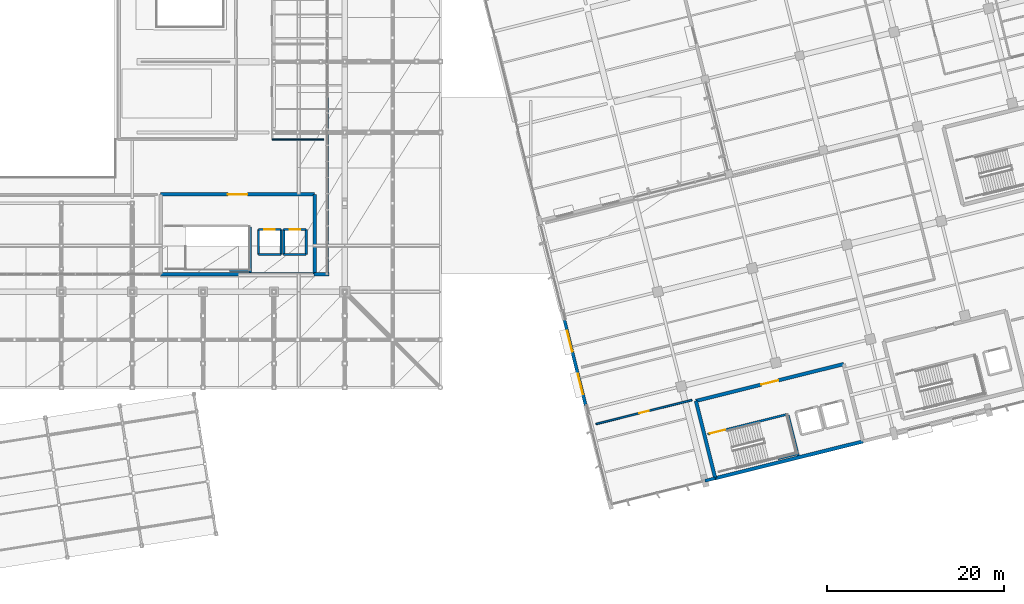
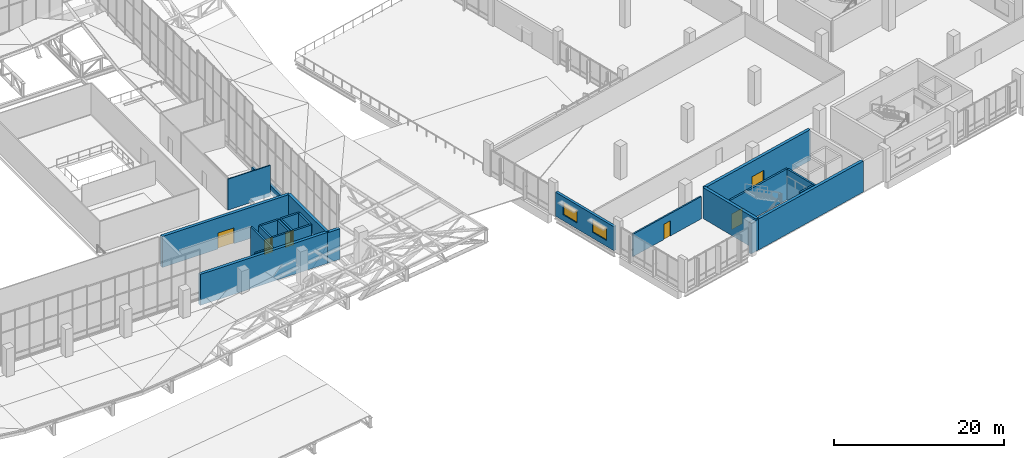
# One storey, part 122 of 137: 25 walls, 6 doors, 2 windows, 8 openings.
"""IFC4 building model written with IfcOpenShell, lengths in metres."""

from ifc_helpers import new_model, si_unit, direction, frame, frame_2d, origin, place, context, subcontext, project, spatial, rectangle, extrude, material, layer, layer_set, type_object, element, fill, save


model = new_model("IFC4")

# Units and contexts
model_context = context("Model", 3, precision=1e-05, world=origin(), true_north=direction((0.0, 1.0)))
body_context = subcontext(model_context, "Body", "Model", "MODEL_VIEW")
ifc_project = project(units=[si_unit("LENGTHUNIT", "METRE"), si_unit("AREAUNIT", "SQUARE_METRE"), si_unit("VOLUMEUNIT", "CUBIC_METRE"), si_unit("PLANEANGLEUNIT", "RADIAN"), si_unit("MASSUNIT", "GRAM", prefix="KILO")], contexts=[model_context])

# Site, building, storey
site_placement = place(None, origin())
site = spatial("IfcSite", under=ifc_project, at=site_placement, CompositionType="ELEMENT")
building_placement = place(site_placement, origin())
building = spatial("IfcBuilding", under=site, at=building_placement, Name="Khorjan Park Terminus", CompositionType="ELEMENT")
storey_placement = place(building_placement, frame((0.0, 0.0, 11.4)))
storey = spatial("IfcBuildingStorey", under=building, at=storey_placement, Name="L02", CompositionType="ELEMENT", Elevation=11.4)

# Walls
ifc_material_1 = material(Name="Concrete C50/60", Category="concrete")
ifc_layer_1 = layer(ifc_material_1, 0.4)
ifc_layer_set_1 = layer_set([ifc_layer_1], Name="Concrete C50/60")
wall_type_1 = type_object("IfcWallType", Name="CW-40", PredefinedType="SHEAR", material=ifc_layer_set_1)
wall_1_placement = place(storey_placement, frame((115.2, 28.0, 0.0), z_axis=(0.0, 0.0, 1.0), x_axis=(1.0, 0.0, 0.0)))
element("IfcWall", 1, at=wall_1_placement, inside=storey, type_object=wall_type_1, Name="East Concourse Core concrete shear wall CW-40 (L02-E1)", PredefinedType="SHEAR", context=body_context, shape_type="SweptSolid", body=[
    extrude(rectangle(XDim=17.4, YDim=0.4, at=frame_2d((8.7, 0.0))), origin(), (0.0, 0.0, 1.0), 4.46),
])
wall_2_placement = place(storey_placement, frame((132.6, 28.0, 0.0), z_axis=(0.0, 0.0, 1.0), x_axis=(0.0, 1.0, 0.0)))
element("IfcWall", 2, at=wall_2_placement, inside=storey, type_object=wall_type_1, Name="East Concourse Core concrete shear wall CW-40 (L02-E2)", PredefinedType="SHEAR", context=body_context, shape_type="SweptSolid", body=[
    extrude(rectangle(XDim=9.0, YDim=0.4, at=frame_2d((4.5, 0.0))), origin(), (0.0, 0.0, 1.0), 4.46),
])

# Wall, opening, door
wall_3_placement = place(storey_placement, frame((132.6, 37.0, 0.0), z_axis=(0.0, 0.0, 1.0), x_axis=(-1.0, 0.0, 0.0)))
wall_3 = element("IfcWall", 3, at=wall_3_placement, inside=storey, type_object=wall_type_1, Name="East Concourse Core concrete shear wall CW-40 (L02-E3)", PredefinedType="SHEAR", context=body_context, shape_type="SweptSolid", body=[
    extrude(rectangle(XDim=17.4, YDim=0.4, at=frame_2d((8.7, 0.0))), origin(), (0.0, 0.0, 1.0), 4.46),
])
opening_1_placement = place(wall_3_placement, frame((7.6, 0.0, 0.0)))
opening_1 = element("IfcOpeningElement", 4, at=opening_1_placement, cuts=wall_3, Name="Opening FD-22", PredefinedType="OPENING", context=body_context, shape_type="SweptSolid", body=[
    extrude(rectangle(XDim=2.2, YDim=2.3, at=frame_2d((1.1, 1.15))), frame((0.0, 0.21, 0.0), z_axis=(0.0, -1.0, 0.0), x_axis=(1.0, 0.0, 0.0)), (0.0, 0.0, 1.0), 0.42),
])
ifc_material_2 = material(Name="Fire-Rated Steel Double Door", Category="steel")
door_type_1 = type_object("IfcDoorType", Name="FD-22", OperationType="NOTDEFINED", PredefinedType="DOOR", material=ifc_material_2)
door_1_placement = place(opening_1_placement, origin())
door_1 = element("IfcDoor", 5, at=door_1_placement, inside=storey, type_object=door_type_1, Name="East Concourse Core fire-rated exit door FD-22 (L02)", OperationType="DOUBLE_DOOR_SINGLE_SWING", OverallHeight=2.3, OverallWidth=2.2, PredefinedType="DOOR", context=body_context, shape_type="SweptSolid", body=[
    extrude(rectangle(XDim=2.2, YDim=2.3, at=frame_2d((1.1, 1.15))), frame((0.0, 0.025, 0.0), z_axis=(0.0, -1.0, 0.0), x_axis=(1.0, 0.0, 0.0)), (0.0, 0.0, 1.0), 0.05),
])
fill(opening_1, door_1)

# Wall
wall_4_placement = place(storey_placement, frame((177.8376, 4.9514, 0.0), z_axis=(0.0, 0.0, 1.0), x_axis=(0.970295179998, 0.241924086589, 0.0)))
element("IfcWall", 6, at=wall_4_placement, inside=storey, type_object=wall_type_1, Name="Operations West Firefighting Core concrete shear wall CW-40 (L02-E1)", PredefinedType="SHEAR", context=body_context, shape_type="SweptSolid", body=[
    extrude(rectangle(XDim=17.2, YDim=0.4, at=frame_2d((8.6, 0.0))), origin(), (0.0, 0.0, 1.0), 4.46),
])

# Wall, opening, door
wall_5_placement = place(storey_placement, frame((192.3494, 17.8451, 0.0), z_axis=(0.0, 0.0, 1.0), x_axis=(-0.970296544738, -0.241918612906, 0.0)))
wall_5 = element("IfcWall", 7, at=wall_5_placement, inside=storey, type_object=wall_type_1, Name="Operations West Firefighting Core concrete shear wall CW-40 (L02-E3)", PredefinedType="SHEAR", context=body_context, shape_type="SweptSolid", body=[
    extrude(rectangle(XDim=17.2, YDim=0.4, at=frame_2d((8.6, 0.0))), origin(), (0.0, 0.0, 1.0), 4.46),
])
opening_2_placement = place(wall_5_placement, frame((7.6, 0.0, 0.0)))
opening_2 = element("IfcOpeningElement", 8, at=opening_2_placement, cuts=wall_5, Name="Opening FD-20", PredefinedType="OPENING", context=body_context, shape_type="SweptSolid", body=[
    extrude(rectangle(XDim=2.0, YDim=2.3, at=frame_2d((1.0, 1.15))), frame((0.0, 0.21, 0.0), z_axis=(0.0, -1.0, 0.0), x_axis=(1.0, 0.0, 0.0)), (0.0, 0.0, 1.0), 0.42),
])
door_type_2 = type_object("IfcDoorType", Name="FD-20", OperationType="NOTDEFINED", PredefinedType="DOOR", material=ifc_material_2)
door_2_placement = place(opening_2_placement, origin())
door_2 = element("IfcDoor", 9, at=door_2_placement, inside=storey, type_object=door_type_2, Name="Operations West Firefighting Core fire-rated exit door FD-20 (L02)", OperationType="DOUBLE_DOOR_SINGLE_SWING", OverallHeight=2.3, OverallWidth=2.0, PredefinedType="DOOR", context=body_context, shape_type="SweptSolid", body=[
    extrude(rectangle(XDim=2.0, YDim=2.3, at=frame_2d((1.0, 1.15))), frame((0.0, 0.025, 0.0), z_axis=(0.0, -1.0, 0.0), x_axis=(1.0, 0.0, 0.0)), (0.0, 0.0, 1.0), 0.05),
])
fill(opening_2, door_2)

# Walls
wall_6_placement = place(storey_placement, frame((175.6603, 13.6841, 0.0), z_axis=(0.0, 0.0, 1.0), x_axis=(0.241921199913, -0.97029589973, 0.0)))
element("IfcWall", 10, at=wall_6_placement, inside=storey, type_object=wall_type_1, Name="Operations West Firefighting Core concrete shear wall CW-40 (L02-E4)", PredefinedType="SHEAR", context=body_context, shape_type="SweptSolid", body=[
    extrude(rectangle(XDim=9.0, YDim=0.4, at=frame_2d((4.5, 0.0))), origin(), (0.0, 0.0, 1.0), 4.46),
])
ifc_material_3 = material(Name="Pigmented Precast GRC & Concrete C40/50", Category="concrete")
ifc_layer_2 = layer(ifc_material_3, 0.35)
ifc_layer_set_2 = layer_set([ifc_layer_2], Name="Pigmented Precast GRC & Concrete C40/50")
wall_type_2 = type_object("IfcWallType", Name="EW-35", PredefinedType="STANDARD", material=ifc_layer_set_2)
wall_7_placement = place(storey_placement, frame((134.0, 28.0, 0.0), z_axis=(0.0, 0.0, 1.0), x_axis=(0.0, 1.0, 0.0)))
element("IfcWall", 11, at=wall_7_placement, inside=storey, type_object=wall_type_2, Name="Concourse gallery clerestory sill wall EW-35 (E-1)", PredefinedType="STANDARD", context=body_context, shape_type="SweptSolid", body=[
    extrude(rectangle(XDim=20.0, YDim=0.35, at=frame_2d((10.0, 0.0))), origin(), (0.0, 0.0, 1.0), 1.1621),
])

# Wall, openings, windows
wall_8_placement = place(storey_placement, frame((160.8024, 22.8463, 0.0), z_axis=(0.0, 0.0, 1.0), x_axis=(0.241931398528, -0.970293356881, 0.0)))
wall_8 = element("IfcWall", 12, at=wall_8_placement, inside=storey, type_object=wall_type_2, Name="External pigmented-GRC insulated wall EW-35 (EW-V5-W-L02-B02)", PredefinedType="STANDARD", context=body_context, shape_type="SweptSolid", body=[
    extrude(rectangle(XDim=9.9698, YDim=0.35, at=frame_2d((4.9849, 0.0))), origin(), (0.0, 0.0, 1.0), 3.455),
])
opening_3_placement = place(wall_8_placement, frame((1.2924, 0.0, 0.85)))
opening_3 = element("IfcOpeningElement", 13, at=opening_3_placement, cuts=wall_8, Name="Opening WN-24", PredefinedType="OPENING", context=body_context, shape_type="SweptSolid", body=[
    extrude(rectangle(XDim=2.4, YDim=1.8, at=frame_2d((1.2, 0.9))), frame((0.0, 0.185, 0.0), z_axis=(0.0, -1.0, 0.0), x_axis=(1.0, 0.0, 0.0)), (0.0, 0.0, 1.0), 0.37),
])
opening_4_placement = place(wall_8_placement, frame((6.2773, 0.0, 0.85)))
opening_4 = element("IfcOpeningElement", 14, at=opening_4_placement, cuts=wall_8, Name="Opening WN-24", PredefinedType="OPENING", context=body_context, shape_type="SweptSolid", body=[
    extrude(rectangle(XDim=2.4, YDim=1.8, at=frame_2d((1.2, 0.9))), frame((0.0, 0.185, 0.0), z_axis=(0.0, -1.0, 0.0), x_axis=(1.0, 0.0, 0.0)), (0.0, 0.0, 1.0), 0.37),
])
ifc_material_4 = material(Name="Anodized Bronze Aluminium & Low-E Glass", Category="aluminium")
window_type = type_object("IfcWindowType", Name="WN-24", PartitioningType="SINGLE_PANEL", PredefinedType="WINDOW", material=ifc_material_4)
window_1_placement = place(opening_3_placement, origin())
window_1 = element("IfcWindow", 15, at=window_1_placement, inside=storey, type_object=window_type, Name="Solar-control exterior window WN-24 (WN-EW-V5-W-L02-B02-1)", OverallHeight=1.8, OverallWidth=2.4, PartitioningType="SINGLE_PANEL", PredefinedType="WINDOW", context=body_context, shape_type="SweptSolid", body=[
    extrude(rectangle(XDim=2.4, YDim=1.8, at=frame_2d((1.2, 0.9))), frame((0.0, 0.03, 0.0), z_axis=(0.0, -1.0, 0.0), x_axis=(1.0, 0.0, 0.0)), (0.0, 0.0, 1.0), 0.06),
])
fill(opening_3, window_1)
window_2_placement = place(opening_4_placement, origin())
window_2 = element("IfcWindow", 16, at=window_2_placement, inside=storey, type_object=window_type, Name="Solar-control exterior window WN-24 (WN-EW-V5-W-L02-B02-2)", OverallHeight=1.8, OverallWidth=2.4, PartitioningType="SINGLE_PANEL", PredefinedType="WINDOW", context=body_context, shape_type="SweptSolid", body=[
    extrude(rectangle(XDim=2.4, YDim=1.8, at=frame_2d((1.2, 0.9))), frame((0.0, 0.03, 0.0), z_axis=(0.0, -1.0, 0.0), x_axis=(1.0, 0.0, 0.0)), (0.0, 0.0, 1.0), 0.06),
])
fill(opening_4, window_2)

# Walls
wall_9_placement = place(storey_placement, frame((176.6733, 4.6611, 0.0), z_axis=(0.0, 0.0, 1.0), x_axis=(0.970294277425, 0.24192770655, 0.0)))
element("IfcWall", 17, at=wall_9_placement, inside=storey, type_object=wall_type_2, Name="External pigmented-GRC core infill wall EW-35 (EW-V5-K3P-L02-1)", PredefinedType="STANDARD", context=body_context, shape_type="SweptSolid", body=[
    extrude(rectangle(XDim=1.1999, YDim=0.35, at=frame_2d((0.5999, 0.0))), origin(), (0.0, 0.0, 1.0), 4.435),
])
ifc_layer_3 = layer(ifc_material_3, 0.42)
ifc_layer_set_3 = layer_set([ifc_layer_3], Name="Pigmented Precast GRC & Concrete C40/50")
wall_type_3 = type_object("IfcWallType", Name="EW-42", PredefinedType="STANDARD", material=ifc_layer_set_3)
wall_10_placement = place(storey_placement, frame((132.5, 28.0, 0.0), z_axis=(0.0, 0.0, 1.0), x_axis=(1.0, 0.0, 0.0)))
element("IfcWall", 18, at=wall_10_placement, inside=storey, type_object=wall_type_3, Name="External pigmented-GRC pier wall EW-42 (L02-8)", PredefinedType="STANDARD", context=body_context, shape_type="SweptSolid", body=[
    extrude(rectangle(XDim=1.7, YDim=0.42, at=frame_2d((0.85, 0.0))), origin(), (0.0, 0.0, 1.0), 4.4),
])
ifc_material_5 = material(Name="Moisture-Resistant Sanitary Partition")
ifc_layer_4 = layer(ifc_material_5, 0.14)
ifc_layer_set_4 = layer_set([ifc_layer_4], Name="Moisture-Resistant Sanitary Partition")
wall_type_4 = type_object("IfcWallType", Name="PT-14", PredefinedType="PARTITIONING", material=ifc_layer_set_4)
wall_11_placement = place(storey_placement, frame((133.6, 43.2, 0.0), z_axis=(0.0, 0.0, 1.0), x_axis=(-1.0, 0.0, 0.0)))
element("IfcWall", 19, at=wall_11_placement, inside=storey, type_object=wall_type_4, Name="Interior acoustic partition PT-14 (L02-WC2)", PredefinedType="PARTITIONING", context=body_context, shape_type="SweptSolid", body=[
    extrude(rectangle(XDim=5.8, YDim=0.14, at=frame_2d((2.9, 0.0))), origin(), (0.0, 0.0, 1.0), 4.46),
])

# Wall, opening, door
ifc_material_6 = material(Name="Fire-Rated Acoustic Masonry & Drywall", Category="masonry")
ifc_layer_5 = layer(ifc_material_6, 0.2)
ifc_layer_set_5 = layer_set([ifc_layer_5], Name="Fire-Rated Acoustic Masonry & Drywall")
wall_type_5 = type_object("IfcWallType", Name="PT-20", PredefinedType="PARTITIONING", material=ifc_layer_set_5)
wall_12_placement = place(storey_placement, frame((164.3565, 11.0719, 0.0), z_axis=(0.0, 0.0, 1.0), x_axis=(0.970296191666, 0.241920029015, 0.0)))
wall_12 = element("IfcWall", 20, at=wall_12_placement, inside=storey, type_object=wall_type_5, Name="Interior acoustic partition PT-20 (L02-SIG)", PredefinedType="PARTITIONING", context=body_context, shape_type="SweptSolid", body=[
    extrude(rectangle(XDim=11.2, YDim=0.2, at=frame_2d((5.6, 0.0))), origin(), (0.0, 0.0, 1.0), 3.225),
])
opening_5_placement = place(wall_12_placement, frame((5.05, 0.0, 0.0)))
opening_5 = element("IfcOpeningElement", 21, at=opening_5_placement, cuts=wall_12, Name="Opening FD-11", PredefinedType="OPENING", context=body_context, shape_type="SweptSolid", body=[
    extrude(rectangle(XDim=1.1, YDim=2.2, at=frame_2d((0.55, 1.1))), frame((0.0, 0.11, 0.0), z_axis=(0.0, -1.0, 0.0), x_axis=(1.0, 0.0, 0.0)), (0.0, 0.0, 1.0), 0.22),
])
ifc_material_7 = material(Name="Fire-Rated Steel Single Door", Category="steel")
door_type_3 = type_object("IfcDoorType", Name="FD-11", OperationType="NOTDEFINED", PredefinedType="DOOR", material=ifc_material_7)
door_3_placement = place(opening_5_placement, origin())
door_3 = element("IfcDoor", 22, at=door_3_placement, inside=storey, type_object=door_type_3, Name="Interior door FD-11 (L02-SIG)", OperationType="SINGLE_SWING_LEFT", OverallHeight=2.2, OverallWidth=1.1, PredefinedType="DOOR", context=body_context, shape_type="SweptSolid", body=[
    extrude(rectangle(XDim=1.1, YDim=2.2, at=frame_2d((0.55, 1.1))), frame((0.0, 0.025, 0.0), z_axis=(0.0, -1.0, 0.0), x_axis=(1.0, 0.0, 0.0)), (0.0, 0.0, 1.0), 0.05),
])
fill(opening_5, door_3)

# Walls
ifc_material_8 = material(Name="Concrete C40/50", Category="concrete")
ifc_layer_6 = layer(ifc_material_8, 0.25)
ifc_layer_set_6 = layer_set([ifc_layer_6], Name="Concrete C40/50")
wall_type_6 = type_object("IfcWallType", Name="SW-25", PredefinedType="SOLIDWALL", material=ifc_layer_set_6)
wall_13_placement = place(storey_placement, frame((126.25, 30.21, 0.0), z_axis=(0.0, 0.0, 1.0), x_axis=(1.0, 0.0, 0.0)))
element("IfcWall", 23, at=wall_13_placement, inside=storey, type_object=wall_type_6, Name="Lift L03 concrete shaft wall SW-25 (L02-1)", PredefinedType="SOLIDWALL", context=body_context, shape_type="SweptSolid", body=[
    extrude(rectangle(XDim=2.54, YDim=0.25, at=frame_2d((1.27, 0.0))), origin(), (0.0, 0.0, 1.0), 4.46),
])
wall_14_placement = place(storey_placement, frame((128.79, 30.21, 0.0), z_axis=(0.0, 0.0, 1.0), x_axis=(0.0, 1.0, 0.0)))
element("IfcWall", 24, at=wall_14_placement, inside=storey, type_object=wall_type_6, Name="Lift L03 concrete shaft wall SW-25 (L02-2)", PredefinedType="SOLIDWALL", context=body_context, shape_type="SweptSolid", body=[
    extrude(rectangle(XDim=2.84, YDim=0.25, at=frame_2d((1.42, 0.0))), origin(), (0.0, 0.0, 1.0), 4.46),
])

# Wall, opening, door
wall_15_placement = place(storey_placement, frame((128.79, 33.05, 0.0), z_axis=(0.0, 0.0, 1.0), x_axis=(-1.0, 0.0, 0.0)))
wall_15 = element("IfcWall", 25, at=wall_15_placement, inside=storey, type_object=wall_type_6, Name="Lift L03 concrete shaft wall SW-25 (L02-3)", PredefinedType="SOLIDWALL", context=body_context, shape_type="SweptSolid", body=[
    extrude(rectangle(XDim=2.54, YDim=0.25, at=frame_2d((1.27, 0.0))), origin(), (0.0, 0.0, 1.0), 4.46),
])
opening_6_placement = place(wall_15_placement, frame((0.67, 0.0, 0.0)))
opening_6 = element("IfcOpeningElement", 26, at=opening_6_placement, cuts=wall_15, Name="Opening LD-12", PredefinedType="OPENING", context=body_context, shape_type="SweptSolid", body=[
    extrude(rectangle(XDim=1.2, YDim=2.2, at=frame_2d((0.6, 1.1))), frame((0.0, 0.135, 0.0), z_axis=(0.0, -1.0, 0.0), x_axis=(1.0, 0.0, 0.0)), (0.0, 0.0, 1.0), 0.27),
])
ifc_material_9 = material(Name="Stainless-Steel Lift Landing Sliding Door", Category="steel")
door_type_4 = type_object("IfcDoorType", Name="LD-12", OperationType="NOTDEFINED", PredefinedType="DOOR", material=ifc_material_9)
door_4_placement = place(opening_6_placement, origin())
door_4 = element("IfcDoor", 27, at=door_4_placement, inside=storey, type_object=door_type_4, Name="Lift L03 sliding landing door LD-12 (L02)", OperationType="SLIDING_TO_LEFT", OverallHeight=2.2, OverallWidth=1.2, PredefinedType="DOOR", context=body_context, shape_type="SweptSolid", body=[
    extrude(rectangle(XDim=1.2, YDim=2.2, at=frame_2d((0.6, 1.1))), frame((0.0, 0.025, 0.0), z_axis=(0.0, -1.0, 0.0), x_axis=(1.0, 0.0, 0.0)), (0.0, 0.0, 1.0), 0.05),
])
fill(opening_6, door_4)

# Walls
wall_16_placement = place(storey_placement, frame((126.25, 33.05, 0.0), z_axis=(0.0, 0.0, 1.0), x_axis=(0.0, -1.0, 0.0)))
element("IfcWall", 28, at=wall_16_placement, inside=storey, type_object=wall_type_6, Name="Lift L03 concrete shaft wall SW-25 (L02-4)", PredefinedType="SOLIDWALL", context=body_context, shape_type="SweptSolid", body=[
    extrude(rectangle(XDim=2.84, YDim=0.25, at=frame_2d((1.42, 0.0))), origin(), (0.0, 0.0, 1.0), 4.46),
])
wall_17_placement = place(storey_placement, frame((129.11, 30.21, 0.0), z_axis=(0.0, 0.0, 1.0), x_axis=(1.0, 0.0, 0.0)))
element("IfcWall", 29, at=wall_17_placement, inside=storey, type_object=wall_type_6, Name="Lift L04 concrete shaft wall SW-25 (L02-1)", PredefinedType="SOLIDWALL", context=body_context, shape_type="SweptSolid", body=[
    extrude(rectangle(XDim=2.54, YDim=0.25, at=frame_2d((1.27, 0.0))), origin(), (0.0, 0.0, 1.0), 4.46),
])
wall_18_placement = place(storey_placement, frame((131.65, 30.21, 0.0), z_axis=(0.0, 0.0, 1.0), x_axis=(0.0, 1.0, 0.0)))
element("IfcWall", 30, at=wall_18_placement, inside=storey, type_object=wall_type_6, Name="Lift L04 concrete shaft wall SW-25 (L02-2)", PredefinedType="SOLIDWALL", context=body_context, shape_type="SweptSolid", body=[
    extrude(rectangle(XDim=2.84, YDim=0.25, at=frame_2d((1.42, 0.0))), origin(), (0.0, 0.0, 1.0), 4.46),
])

# Wall, opening, door
wall_19_placement = place(storey_placement, frame((131.65, 33.05, 0.0), z_axis=(0.0, 0.0, 1.0), x_axis=(-1.0, 0.0, 0.0)))
wall_19 = element("IfcWall", 31, at=wall_19_placement, inside=storey, type_object=wall_type_6, Name="Lift L04 concrete shaft wall SW-25 (L02-3)", PredefinedType="SOLIDWALL", context=body_context, shape_type="SweptSolid", body=[
    extrude(rectangle(XDim=2.54, YDim=0.25, at=frame_2d((1.27, 0.0))), origin(), (0.0, 0.0, 1.0), 4.46),
])
opening_7_placement = place(wall_19_placement, frame((0.67, 0.0, 0.0)))
opening_7 = element("IfcOpeningElement", 32, at=opening_7_placement, cuts=wall_19, Name="Opening LD-12", PredefinedType="OPENING", context=body_context, shape_type="SweptSolid", body=[
    extrude(rectangle(XDim=1.2, YDim=2.2, at=frame_2d((0.6, 1.1))), frame((0.0, 0.135, 0.0), z_axis=(0.0, -1.0, 0.0), x_axis=(1.0, 0.0, 0.0)), (0.0, 0.0, 1.0), 0.27),
])
door_5_placement = place(opening_7_placement, origin())
door_5 = element("IfcDoor", 33, at=door_5_placement, inside=storey, type_object=door_type_4, Name="Lift L04 sliding landing door LD-12 (L02)", OperationType="SLIDING_TO_RIGHT", OverallHeight=2.2, OverallWidth=1.2, PredefinedType="DOOR", context=body_context, shape_type="SweptSolid", body=[
    extrude(rectangle(XDim=1.2, YDim=2.2, at=frame_2d((0.6, 1.1))), frame((0.0, 0.025, 0.0), z_axis=(0.0, -1.0, 0.0), x_axis=(1.0, 0.0, 0.0)), (0.0, 0.0, 1.0), 0.05),
])
fill(opening_7, door_5)

# Walls
wall_20_placement = place(storey_placement, frame((129.11, 33.05, 0.0), z_axis=(0.0, 0.0, 1.0), x_axis=(0.0, -1.0, 0.0)))
element("IfcWall", 34, at=wall_20_placement, inside=storey, type_object=wall_type_6, Name="Lift L04 concrete shaft wall SW-25 (L02-4)", PredefinedType="SOLIDWALL", context=body_context, shape_type="SweptSolid", body=[
    extrude(rectangle(XDim=2.84, YDim=0.25, at=frame_2d((1.42, 0.0))), origin(), (0.0, 0.0, 1.0), 4.46),
])
wall_21_placement = place(storey_placement, frame((125.325, 28.2, 0.0), z_axis=(0.0, 0.0, 1.0), x_axis=(0.0, 1.0, 0.0)))
element("IfcWall", 35, at=wall_21_placement, inside=storey, type_object=wall_type_6, Name="East Concourse Core stairwell end bearing wall SW-25 (L02)", PredefinedType="SOLIDWALL", context=body_context, shape_type="SweptSolid", body=[
    extrude(rectangle(XDim=5.11, YDim=0.25, at=frame_2d((2.555, 0.0))), origin(), (0.0, 0.0, 1.0), 4.46),
])
wall_22_placement = place(storey_placement, frame((123.0, 28.425, 0.0), z_axis=(0.0, 0.0, 1.0), x_axis=(1.0, 0.0, 0.0)))
element("IfcWall", 36, at=wall_22_placement, inside=storey, type_object=wall_type_6, Name="East Concourse Core half-landing bearing wall SW-25 (L02)", PredefinedType="SOLIDWALL", context=body_context, shape_type="SweptSolid", body=[
    extrude(rectangle(XDim=2.2, YDim=0.25, at=frame_2d((1.1, 0.0))), origin(), (0.0, 0.0, 1.0), 4.46),
])

# Wall, opening, door
wall_23_placement = place(storey_placement, frame((176.9882, 9.9288, 0.0), z_axis=(0.0, 0.0, 1.0), x_axis=(0.970297151331, 0.241916179943, 0.0)))
wall_23 = element("IfcWall", 37, at=wall_23_placement, inside=storey, type_object=wall_type_6, Name="Operations West Firefighting Core structural stairwell wall SW-25 (L02)", PredefinedType="SOLIDWALL", context=body_context, shape_type="SweptSolid", body=[
    extrude(rectangle(XDim=9.345, YDim=0.25, at=frame_2d((4.6725, 0.0))), origin(), (0.0, 0.0, 1.0), 4.43),
])
opening_8_placement = place(wall_23_placement, frame((0.25, 0.0, 0.0)))
opening_8 = element("IfcOpeningElement", 38, at=opening_8_placement, cuts=wall_23, Name="Opening FD-18", PredefinedType="OPENING", context=body_context, shape_type="SweptSolid", body=[
    extrude(rectangle(XDim=1.8, YDim=2.25, at=frame_2d((0.9, 1.125))), frame((0.0, 0.135, 0.0), z_axis=(0.0, -1.0, 0.0), x_axis=(1.0, 0.0, 0.0)), (0.0, 0.0, 1.0), 0.27),
])
door_type_5 = type_object("IfcDoorType", Name="FD-18", OperationType="NOTDEFINED", PredefinedType="DOOR", material=ifc_material_2)
door_6_placement = place(opening_8_placement, origin())
door_6 = element("IfcDoor", 39, at=door_6_placement, inside=storey, type_object=door_type_5, Name="Operations West Firefighting Core stairwell fire door FD-18 (L02)", OperationType="DOUBLE_DOOR_SINGLE_SWING", OverallHeight=2.25, OverallWidth=1.8, PredefinedType="DOOR", context=body_context, shape_type="SweptSolid", body=[
    extrude(rectangle(XDim=1.8, YDim=2.25, at=frame_2d((0.9, 1.125))), frame((0.0, 0.025, 0.0), z_axis=(0.0, -1.0, 0.0), x_axis=(1.0, 0.0, 0.0)), (0.0, 0.0, 1.0), 0.05),
])
fill(opening_8, door_6)

# Walls
wall_24_placement = place(storey_placement, frame((187.2253, 7.4981, 0.0), z_axis=(0.0, 0.0, 1.0), x_axis=(-0.241911120435, 0.970298412763, 0.0)))
element("IfcWall", 40, at=wall_24_placement, inside=storey, type_object=wall_type_6, Name="Operations West Firefighting Core stairwell end bearing wall SW-25 (L02)", PredefinedType="SOLIDWALL", context=body_context, shape_type="SweptSolid", body=[
    extrude(rectangle(XDim=4.71, YDim=0.25, at=frame_2d((2.355, 0.0))), origin(), (0.0, 0.0, 1.0), 4.43),
])
wall_25_placement = place(storey_placement, frame((184.915, 7.154, 0.0), z_axis=(0.0, 0.0, 1.0), x_axis=(0.97029738597, 0.241915238833, 0.0)))
element("IfcWall", 41, at=wall_25_placement, inside=storey, type_object=wall_type_6, Name="Operations West Firefighting Core half-landing bearing wall SW-25 (L02)", PredefinedType="SOLIDWALL", context=body_context, shape_type="SweptSolid", body=[
    extrude(rectangle(XDim=2.1999, YDim=0.25, at=frame_2d((1.0999, 0.0))), origin(), (0.0, 0.0, 1.0), 4.43),
])

save(model, "model.ifc")
